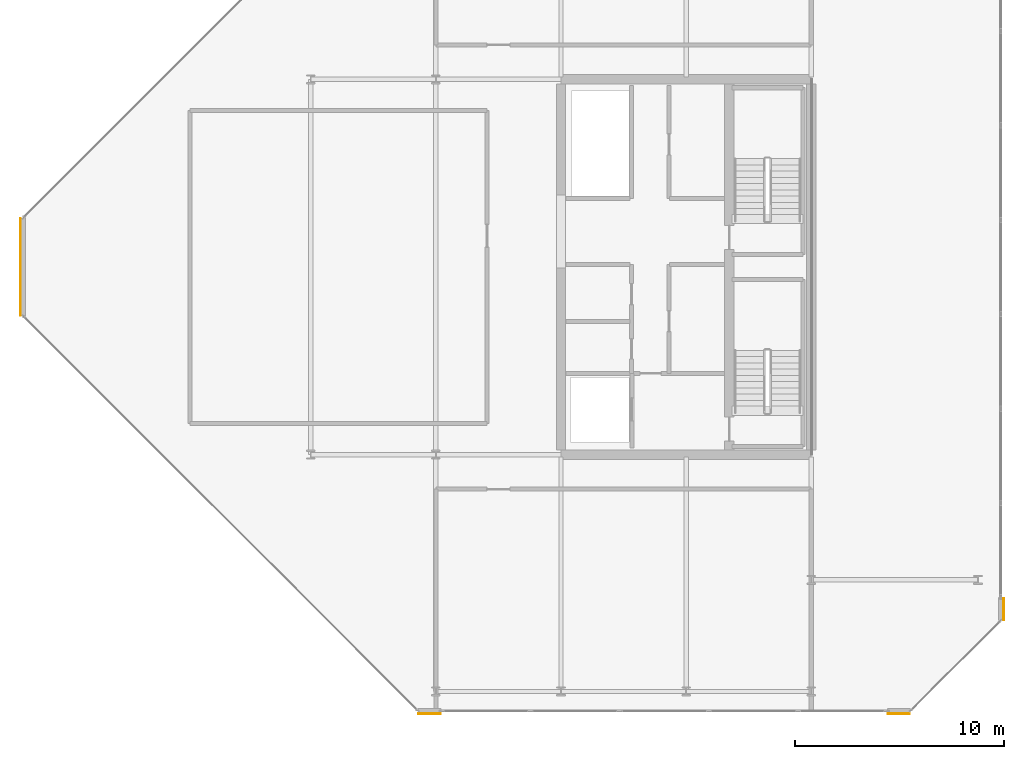
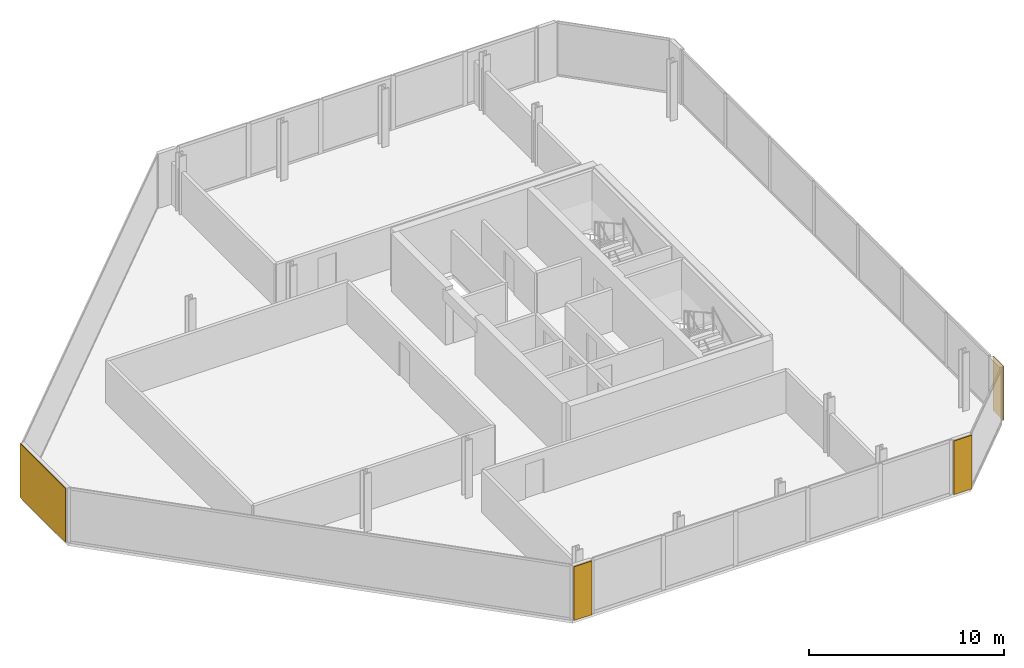
# One storey, part 15 of 16: 4 coverings.
"""IFC4 building model written with IfcOpenShell, lengths in metres."""

from ifc_helpers import new_model, si_unit, direction, frame, origin, origin_2d, place, context, subcontext, project, spatial, rectangle, extrude, material, layer, layer_set, type_object, element, save


model = new_model("IFC4")

# Units and contexts
model_context = context("Model", 3, precision=1e-05, world=origin(), true_north=direction((0.0, 1.0)))
body_context = subcontext(model_context, "Body", "Model", "MODEL_VIEW")
ifc_project = project(units=[si_unit("LENGTHUNIT", "METRE"), si_unit("AREAUNIT", "SQUARE_METRE"), si_unit("VOLUMEUNIT", "CUBIC_METRE"), si_unit("PLANEANGLEUNIT", "RADIAN"), si_unit("MASSUNIT", "GRAM", prefix="KILO")], contexts=[model_context])

# Site, building, storey
site_placement = place(None, origin())
site = spatial("IfcSite", under=ifc_project, at=site_placement, CompositionType="ELEMENT")
building_placement = place(site_placement, origin())
building = spatial("IfcBuilding", under=site, at=building_placement, Name="Tanjung Sevakor Pilgrim Tower", CompositionType="ELEMENT")
storey_placement = place(building_placement, frame((0.0, 0.0, 271.590087890625)))
storey = spatial("IfcBuildingStorey", under=building, at=storey_placement, Name="L76", CompositionType="ELEMENT", Elevation=271.590087890625)

# Coverings
ifc_material = material(Name="Reconstructed Limestone Cladding", Category="masonry")
ifc_layer = layer(ifc_material, 0.044921875)
ifc_layer_set = layer_set([ifc_layer], Name="COV-CLAD-LIMESTONE")
covering_type = type_object("IfcCoveringType", Name="COV-CLAD-LIMESTONE", PredefinedType="CLADDING", material=ifc_layer_set)
for number, where, z_axis, x_axis, name in (
    (1, (71.695556640625, 12.177490234375, 0.019775390625), (0.0, 0.0, 1.0), (1.0, 0.0, 0.0), "L76 Warm Limestone Wall Cladding EW-CRN1-L76-EAST-0-1"),
    (2, (94.204345703125, 12.177490234375, 0.019775390625), (0.0, 0.0, 1.0), (1.0, 0.0, 0.0), "L76 Warm Limestone Wall Cladding EW-CRN2-L76-EAST-0-1"),
    (3, (99.222412109375, 17.195556640625, 0.019775390625), (0.0, 0.0, 1.0), (0.0, 1.0, 0.0), "L76 Warm Limestone Wall Cladding EW-CRN1-L76-EAST-2-1"),
):
    element("IfcCovering", number, at=place(storey_placement, frame(where, z_axis=z_axis, x_axis=x_axis)), inside=storey, type_object=covering_type, Name=name, PredefinedType="CLADDING", context=body_context, shape_type="SweptSolid", body=[
        extrude(rectangle(XDim=1.06005859375, YDim=0.044921875, at=origin_2d()), origin(), (0.0, 0.0, 1.0), 3.3701171875),
    ])
covering_placement = place(storey_placement, frame((52.077392578125, 33.60009765625, 0.019775390625), z_axis=(0.0, 0.0, 1.0), x_axis=(0.0, -1.0, 0.0)))
element("IfcCovering", 4, at=covering_placement, inside=storey, type_object=covering_type, Name="L76 Warm Limestone Wall Cladding EW-L76-EAST-7", PredefinedType="CLADDING", context=body_context, shape_type="SweptSolid", body=[
    extrude(rectangle(XDim=4.668701171875, YDim=0.044921875, at=origin_2d()), origin(), (0.0, 0.0, 1.0), 3.3701171875),
])

save(model, "model.ifc")
